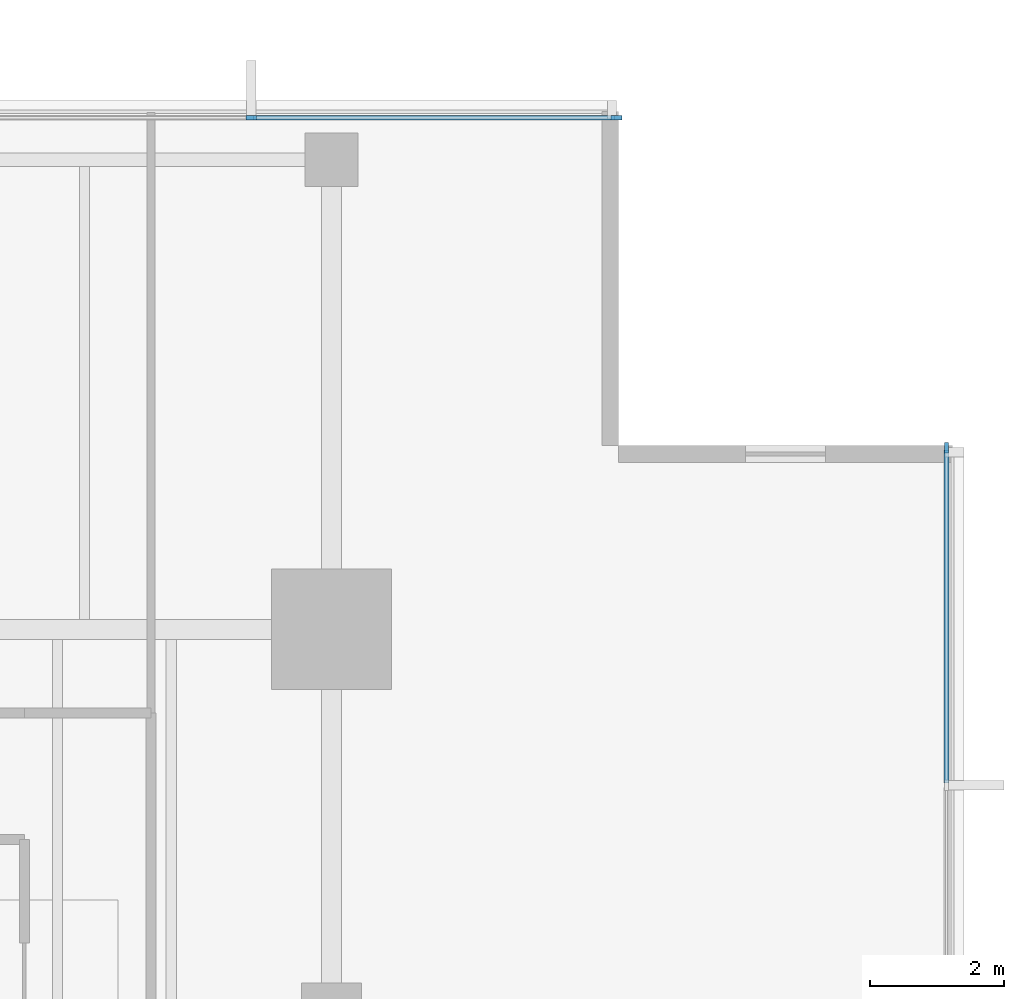
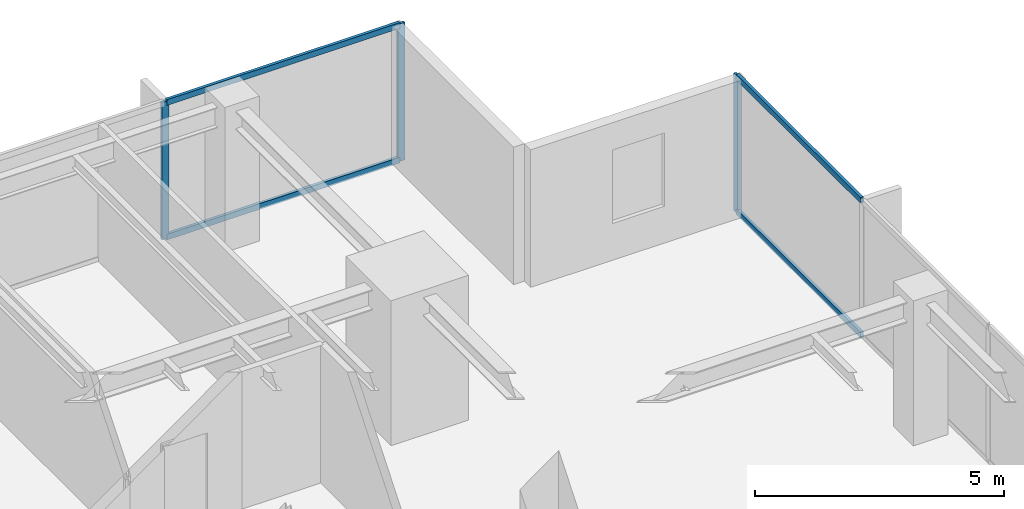
# One storey, part 6 of 14: 7 members, 2 elements without a shape of their own.
"""IFC4 building model written with IfcOpenShell, lengths in metres."""

import ifcopenshell
import ifcopenshell.guid

model = None  # the IFC model being written
_history = None  # IfcOwnerHistory: only IFC2X3 demands one
_inside = {}  # id of a spatial element -> (the spatial element, [elements in it])
_under = {}  # id of a project, library or spatial element -> (it, [spatial elements below it])
_declared = {}  # id of a project -> (the project, [libraries it declares])
_typed = {}  # id of a type object -> (the type object, [elements of that type])
_made_of = {}  # id of a material, layer set ... -> (it, [elements and type objects made of it])


def new_model(schema):
    """Start an empty IFC model of exactly this schema.

    Asked for "IFC4X3", IfcOpenShell would pick the latest addendum, in which some entities
    have other attributes; the version numbers below select the first issue.
    IFC2X3 requires an IfcOwnerHistory on every rooted entity: one is made here for all.
    """
    global model, _history
    if schema == "IFC4X3":
        model = ifcopenshell.file(schema_version=(4, 3, 0, 0))
    else:
        model = ifcopenshell.file(schema=schema)
    _inside.clear()
    _under.clear()
    _declared.clear()
    _typed.clear()
    _made_of.clear()
    _history = None
    if model.schema == "IFC2X3":
        org = make("IfcOrganization", Name="unknown")
        user = make(
            "IfcPersonAndOrganization",
            ThePerson=make("IfcPerson", FamilyName="unknown"),
            TheOrganization=org,
        )
        app = make(
            "IfcApplication",
            ApplicationDeveloper=org,
            Version="unknown",
            ApplicationFullName="unknown",
            ApplicationIdentifier="unknown",
        )
        _history = make(
            "IfcOwnerHistory",
            OwningUser=user,
            OwningApplication=app,
            ChangeAction="ADDED",
            CreationDate=0,
        )
    return model


def make(cls, **values):
    """One entity of the class cls with the attributes given. An attribute that is None is left unset."""
    return model.create_entity(
        cls, **{name: value for name, value in values.items() if value is not None}
    )


def rooted(cls, **values):
    """An entity with a GlobalId (a new one), such as an element, a storey or a relation."""
    return make(cls, GlobalId=ifcopenshell.guid.new(), OwnerHistory=_history, **values)


def si_unit(unit_type, name, prefix=None):
    """IfcSIUnit, for example si_unit("LENGTHUNIT", "METRE", prefix="MILLI")."""
    return make("IfcSIUnit", UnitType=unit_type, Prefix=prefix, Name=name)


def assignment(units):
    """IfcUnitAssignment: the units of a project."""
    return None if units is None else make("IfcUnitAssignment", Units=units)


def point(xyz):
    """IfcCartesianPoint."""
    return None if xyz is None else make("IfcCartesianPoint", Coordinates=xyz)


def direction(xyz):
    """IfcDirection."""
    return None if xyz is None else make("IfcDirection", DirectionRatios=xyz)


def frame(location, z_axis=None, x_axis=None):
    """IfcAxis2Placement3D, a coordinate frame: its origin and axes. An axis left out is left unset."""
    return make(
        "IfcAxis2Placement3D",
        Location=point(location),
        Axis=direction(z_axis),
        RefDirection=direction(x_axis),
    )


def frame_2d(location, x_axis=None):
    """IfcAxis2Placement2D, a coordinate frame in the plane: its origin and x axis."""
    return make(
        "IfcAxis2Placement2D", Location=point(location), RefDirection=direction(x_axis)
    )


def origin():
    """The frame at (0, 0, 0) with its axes left unset."""
    return frame((0.0, 0.0, 0.0))


def origin_2d():
    """The frame at (0, 0) in the plane with its x axis left unset."""
    return frame_2d((0.0, 0.0))


def place(relative_to, where):
    """IfcLocalPlacement: puts the frame where relative to a parent placement (None: the world)."""
    return make(
        "IfcLocalPlacement", PlacementRelTo=relative_to, RelativePlacement=where
    )


def context(
    kind, dimensions, precision=None, world=None, true_north=None, identifier=None
):
    """IfcGeometricRepresentationContext, for example the 3D "Model" context."""
    return make(
        "IfcGeometricRepresentationContext",
        ContextIdentifier=identifier,
        ContextType=kind,
        CoordinateSpaceDimension=dimensions,
        Precision=precision,
        WorldCoordinateSystem=world,
        TrueNorth=true_north,
    )


def subcontext(parent, identifier, kind, view, scale=None):
    """IfcGeometricRepresentationSubContext, for example "Body" below "Model"."""
    return make(
        "IfcGeometricRepresentationSubContext",
        ContextIdentifier=identifier,
        ContextType=kind,
        ParentContext=parent,
        TargetScale=scale,
        TargetView=view,
    )


def project(units=None, contexts=None):
    """IfcProject with its units and contexts."""
    return rooted(
        "IfcProject",
        Name="project",
        RepresentationContexts=contexts,
        UnitsInContext=assignment(units),
    )


def spatial(cls, under=None, at=None, **own):
    """A site, building, storey or space (cls), placed at a placement, below another one or the project."""
    s = rooted(cls, ObjectPlacement=at, **own)
    if under is not None:
        _under.setdefault(under.id(), (under, []))[1].append(s)
    return s


def profile(cls, at=None, kind="AREA", **sizes):
    """A parametric profile (cls). Its sizes go by their IFC names, for example OverallWidth=200.0."""
    return make(cls, ProfileType=kind, Position=at, **sizes)


def rectangle(**sizes):
    """IfcRectangleProfileDef."""
    return profile("IfcRectangleProfileDef", **sizes)


def extrude(swept, where, along, depth):
    """IfcExtrudedAreaSolid: the profile swept, set in the frame where, extruded along a direction by depth."""
    return make(
        "IfcExtrudedAreaSolid",
        SweptArea=swept,
        Position=where,
        ExtrudedDirection=direction(along),
        Depth=depth,
    )


def shape(context_of_items, identifier, shape_type, items):
    """IfcShapeRepresentation: the items that make up one representation, for example the "Body"."""
    return make(
        "IfcShapeRepresentation",
        ContextOfItems=context_of_items,
        RepresentationIdentifier=identifier,
        RepresentationType=shape_type,
        Items=items,
    )


def material(Name=None, Category=None):
    """IfcMaterial."""
    return make("IfcMaterial", Name=Name, Category=Category)


def layer(
    of_material, thickness, ventilated=None, Name=None, Category=None, Priority=None
):
    """IfcMaterialLayer: one layer of a wall or slab, of a material (None: an air gap)."""
    return make(
        "IfcMaterialLayer",
        Material=of_material,
        LayerThickness=thickness,
        IsVentilated=ventilated,
        Name=Name,
        Category=Category,
        Priority=Priority,
    )


def layer_set(layers, Name=None):
    """IfcMaterialLayerSet."""
    return make("IfcMaterialLayerSet", MaterialLayers=layers, LayerSetName=Name)


def material_profile(
    of_material, cross_section, Name=None, Category=None, Priority=None
):
    """IfcMaterialProfile: a cross section and its material."""
    return make(
        "IfcMaterialProfile",
        Name=Name,
        Material=of_material,
        Profile=cross_section,
        Priority=Priority,
        Category=Category,
    )


def profile_set(profiles, Name=None, composite=None):
    """IfcMaterialProfileSet."""
    return make(
        "IfcMaterialProfileSet",
        Name=Name,
        MaterialProfiles=profiles,
        CompositeProfile=composite,
    )


def made_of(thing, what):
    """Note that an element or type object is made of a material, layer set ...; save() writes the relation."""
    if what is not None:
        _made_of.setdefault(what.id(), (what, []))[1].append(thing)
    return thing


def type_object(cls, material=None, **own):
    """A type object (cls), such as IfcWallType, which elements share."""
    return made_of(rooted(cls, **own), material)


def element(
    cls,
    number,
    at=None,
    inside=None,
    cuts=None,
    type_object=None,
    material=None,
    context=None,
    identifier="Body",
    shape_type=None,
    held_by="IfcProductDefinitionShape",
    body=None,
    shapes=None,
    **own,
):
    """One element of the class cls, such as IfcWall. Its Tag is "e" and its number.

    at: its placement. inside: the storey or other place that contains it. cuts: it is an
    opening in that element (IfcRelVoidsElement). A single representation is given by context,
    identifier, shape_type and body (its items); several are given by shapes. held_by: the class
    of the entity that holds the representations. save() writes the other relations.
    """
    e = rooted(cls, Tag="e%d" % number, ObjectPlacement=at, **own)
    if body is not None:
        shapes = [shape(context, identifier, shape_type, body)]
    if shapes is not None:
        e.Representation = make(held_by, Representations=shapes)
    if inside is not None:
        _inside.setdefault(inside.id(), (inside, []))[1].append(e)
    if cuts is not None:
        rooted(
            "IfcRelVoidsElement", RelatingBuildingElement=cuts, RelatedOpeningElement=e
        )
    if type_object is not None:
        _typed.setdefault(type_object.id(), (type_object, []))[1].append(e)
    return made_of(e, material)


def aggregate(whole, parts):
    """IfcRelAggregates: a whole, such as a stair, and the parts it consists of."""
    return rooted("IfcRelAggregates", RelatingObject=whole, RelatedObjects=parts)


def save(model, path):
    """Write the relations noted so far, then the file.

    IfcRelAggregates (storeys below a building ...), IfcRelContainedInSpatialStructure (elements
    in a storey), IfcRelDefinesByType, IfcRelAssociatesMaterial and IfcRelDeclares: one each for
    every whole, place, type object, material and project.
    """
    for whole, parts in _under.values():
        aggregate(whole, parts)
    for where, things in _inside.values():
        rooted(
            "IfcRelContainedInSpatialStructure",
            RelatedElements=things,
            RelatingStructure=where,
        )
    for kind, things in _typed.values():
        rooted("IfcRelDefinesByType", RelatedObjects=things, RelatingType=kind)
    for what, things in _made_of.values():
        rooted("IfcRelAssociatesMaterial", RelatedObjects=things, RelatingMaterial=what)
    for by, libraries in _declared.values():
        rooted("IfcRelDeclares", RelatingContext=by, RelatedDefinitions=libraries)
    model.write(path)


model = new_model("IFC4")

# Units and contexts
model_context = context("Model", 3, precision=1e-05, world=origin(), true_north=direction((0.0, 1.0)))
body_context = subcontext(model_context, "Body", "Model", "MODEL_VIEW")
ifc_project = project(units=[si_unit("LENGTHUNIT", "METRE"), si_unit("AREAUNIT", "SQUARE_METRE"), si_unit("VOLUMEUNIT", "CUBIC_METRE"), si_unit("PLANEANGLEUNIT", "RADIAN"), si_unit("MASSUNIT", "GRAM", prefix="KILO")], contexts=[model_context])

# Site, building, storey
site_placement = place(None, origin())
site = spatial("IfcSite", under=ifc_project, at=site_placement, CompositionType="ELEMENT")
building_placement = place(site_placement, origin())
building = spatial("IfcBuilding", under=site, at=building_placement, Name="Kinhvarn Gate Tower", CompositionType="ELEMENT")
storey_placement = place(building_placement, frame((0.0, 0.0, 234.199951171875)))
storey = spatial("IfcBuildingStorey", under=building, at=storey_placement, Name="L62", CompositionType="ELEMENT", Elevation=234.199951171875)

# Curtain wall, members
ifc_material = material(Name="Anodised aluminium AW-6063", Category="aluminium")
ifc_layer = layer(ifc_material, 0.179931640625)
ifc_layer_set = layer_set([ifc_layer], Name="Anodised aluminium AW-6063")
curtain_wall_type = type_object("IfcCurtainWallType", Name="CW-SYS-3", PredefinedType="NOTDEFINED", material=ifc_layer_set)
curtain_wall_1_placement = place(storey_placement, origin())
curtain_wall_1 = element("IfcCurtainWall", 1, at=curtain_wall_1_placement, inside=storey, type_object=curtain_wall_type, Name="Curtain Wall CW3 (L62)", PredefinedType="NOTDEFINED")
ifc_material_profile_1 = material_profile(ifc_material, rectangle(XDim=0.06494140625, YDim=0.159912109375, at=origin_2d()), Name="ALU 65x160")
ifc_profile_set_1 = profile_set([ifc_material_profile_1], Name="Anodised aluminium AW-6063")
member_type_1 = type_object("IfcMemberType", Name="CW-MUL-160", PredefinedType="MULLION", material=ifc_profile_set_1)
member_1_placement = place(storey_placement, frame((42.467529296875, 45.409912109375, 0.0), z_axis=(0.0, 0.0, 1.0), x_axis=(0.0, -1.0, 0.0)))
member_1 = element("IfcMember", 2, at=member_1_placement, type_object=member_type_1, Name="CW3 mullion 1", PredefinedType="MULLION", context=body_context, shape_type="SweptSolid", body=[
    extrude(rectangle(XDim=0.06494140625, YDim=0.159912109375, at=origin_2d()), origin(), (0.0, 0.0, 1.0), 3.3701171875),
])
member_2_placement = place(storey_placement, frame((37.0, 45.409912109375, 0.0), z_axis=(0.0, 0.0, 1.0), x_axis=(0.0, -1.0, 0.0)))
member_2 = element("IfcMember", 3, at=member_2_placement, type_object=member_type_1, Name="CW3 mullion 2", PredefinedType="MULLION", context=body_context, shape_type="SweptSolid", body=[
    extrude(rectangle(XDim=0.06494140625, YDim=0.159912109375, at=origin_2d()), origin(), (0.0, 0.0, 1.0), 3.3701171875),
])

# Curtain wall, member
curtain_wall_2_placement = place(storey_placement, origin())
curtain_wall_2 = element("IfcCurtainWall", 4, at=curtain_wall_2_placement, inside=storey, type_object=curtain_wall_type, Name="Curtain Wall CW3 (L62)", PredefinedType="NOTDEFINED")
member_3_placement = place(storey_placement, frame((47.409912109375, 40.467529296875, 0.0), z_axis=(0.0, 0.0, 1.0), x_axis=(-1.0, 0.0, 0.0)))
member_3 = element("IfcMember", 5, at=member_3_placement, type_object=member_type_1, Name="CW3 mullion 7", PredefinedType="MULLION", context=body_context, shape_type="SweptSolid", body=[
    extrude(rectangle(XDim=0.06494140625, YDim=0.159912109375, at=origin_2d()), origin(), (0.0, 0.0, 1.0), 3.3701171875),
])

# Member
ifc_material_profile_2 = material_profile(ifc_material, rectangle(XDim=0.070068359375, YDim=0.139892578125, at=origin_2d()), Name="ALU 70x140")
ifc_profile_set_2 = profile_set([ifc_material_profile_2], Name="Anodised aluminium AW-6063")
member_type_2 = type_object("IfcMemberType", Name="CW-TRN-140", PredefinedType="USERDEFINED", material=ifc_profile_set_2)
member_4_placement = place(storey_placement, frame((42.43505859375, 45.409912109375, 0.03515625), z_axis=(-1.0, 0.0, 0.0), x_axis=(0.0, -1.0, 0.0)))
member_4 = element("IfcMember", 6, at=member_4_placement, type_object=member_type_2, Name="CW3 transom 1.1", ObjectType="TRANSOM", PredefinedType="USERDEFINED", context=body_context, shape_type="SweptSolid", body=[
    extrude(rectangle(XDim=0.070068359375, YDim=0.139892578125, at=origin_2d()), origin(), (0.0, 0.0, 1.0), 5.402587890625),
])

member_5_placement = place(storey_placement, frame((42.43505859375, 45.409912109375, 3.3349609375), z_axis=(-1.0, 0.0, 0.0), x_axis=(0.0, -1.0, 0.0)))
member_5 = element("IfcMember", 7, at=member_5_placement, type_object=member_type_2, Name="CW3 transom 1.2", ObjectType="TRANSOM", PredefinedType="USERDEFINED", context=body_context, shape_type="SweptSolid", body=[
    extrude(rectangle(XDim=0.070068359375, YDim=0.139892578125, at=origin_2d()), origin(), (0.0, 0.0, 1.0), 5.402587890625),
])

aggregate(curtain_wall_1, [member_1, member_2, member_4, member_5])

member_6_placement = place(storey_placement, frame((47.409912109375, 35.44921875, 0.03515625), z_axis=(0.0, 1.0, 0.0), x_axis=(-1.0, 0.0, 0.0)))
member_6 = element("IfcMember", 8, at=member_6_placement, type_object=member_type_2, Name="CW3 transom 6.1", ObjectType="TRANSOM", PredefinedType="USERDEFINED", context=body_context, shape_type="SweptSolid", body=[
    extrude(rectangle(XDim=0.070068359375, YDim=0.139892578125, at=origin_2d()), origin(), (0.0, 0.0, 1.0), 4.98583984375),
])

member_7_placement = place(storey_placement, frame((47.409912109375, 35.44921875, 3.3349609375), z_axis=(0.0, 1.0, 0.0), x_axis=(-1.0, 0.0, 0.0)))
member_7 = element("IfcMember", 9, at=member_7_placement, type_object=member_type_2, Name="CW3 transom 6.2", ObjectType="TRANSOM", PredefinedType="USERDEFINED", context=body_context, shape_type="SweptSolid", body=[
    extrude(rectangle(XDim=0.070068359375, YDim=0.139892578125, at=origin_2d()), origin(), (0.0, 0.0, 1.0), 4.98583984375),
])

aggregate(curtain_wall_2, [member_3, member_6, member_7])

save(model, "model.ifc")
